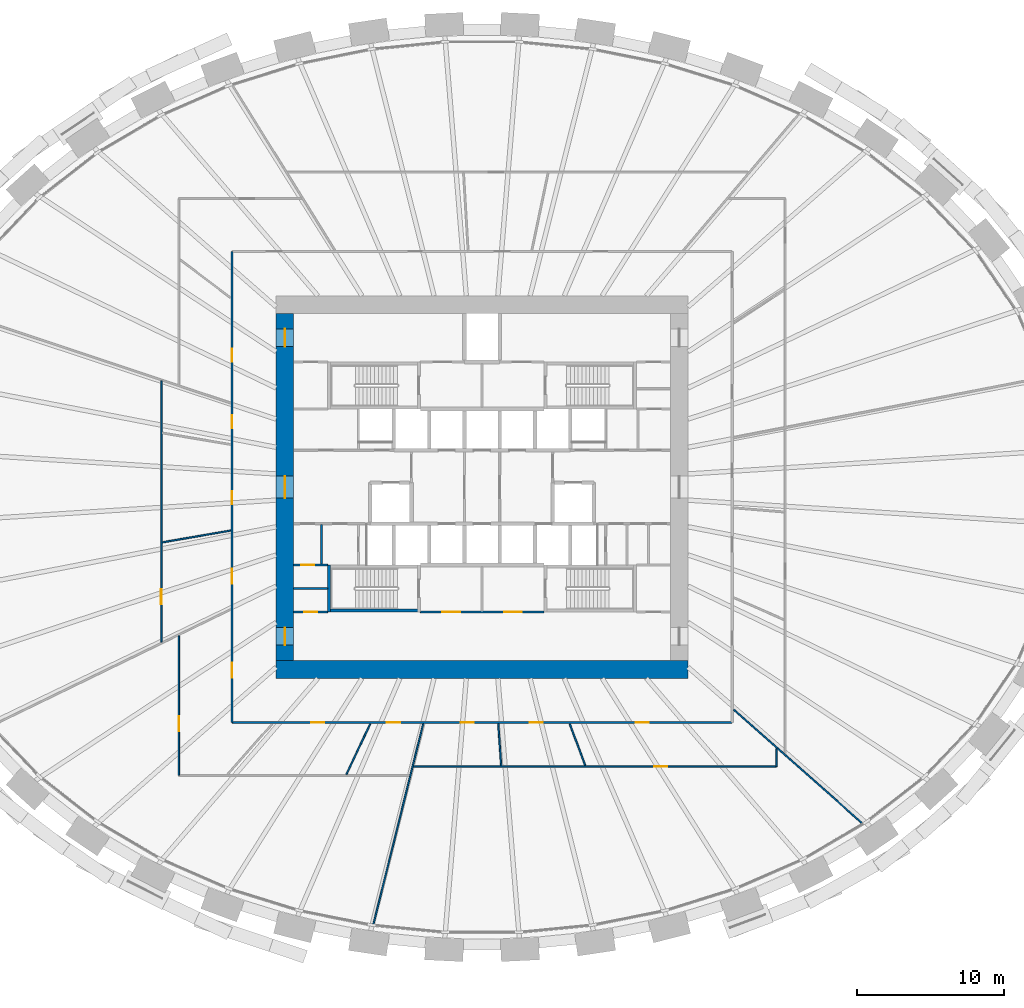
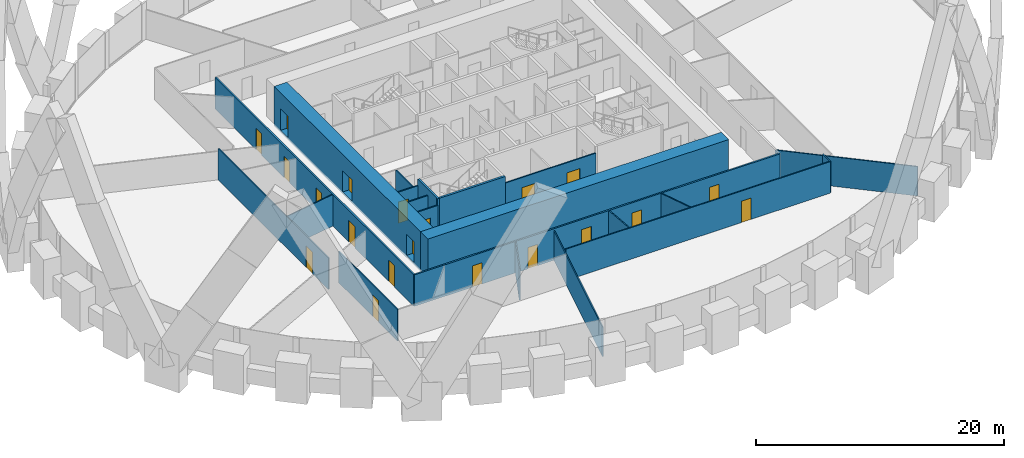
# One storey, part 7 of 12: 21 walls, 20 doors, 20 openings.
"""IFC4 building model written with IfcOpenShell, lengths in metres."""

from ifc_helpers import new_model, si_unit, direction, frame, frame_2d, origin, place, context, subcontext, project, spatial, rectangle, extrude, source, transform, mapped, material, layer, layer_set, type_object, element, fill, save


model = new_model("IFC4")

# Units and contexts
model_context = context("Model", 3, precision=1e-05, world=origin(), true_north=direction((0.0, 1.0)))
body_context = subcontext(model_context, "Body", "Model", "MODEL_VIEW")
ifc_project = project(units=[si_unit("LENGTHUNIT", "METRE"), si_unit("AREAUNIT", "SQUARE_METRE"), si_unit("VOLUMEUNIT", "CUBIC_METRE"), si_unit("PLANEANGLEUNIT", "RADIAN"), si_unit("MASSUNIT", "GRAM", prefix="KILO")], contexts=[model_context])

# Site, building, storey
site_placement = place(None, origin())
site = spatial("IfcSite", under=ifc_project, at=site_placement, CompositionType="ELEMENT")
building_placement = place(site_placement, origin())
building = spatial("IfcBuilding", under=site, at=building_placement, Name="Embergate Tower", CompositionType="ELEMENT")
storey_placement = place(building_placement, frame((0.0, 0.0, 65.89990234375)))
storey = spatial("IfcBuildingStorey", under=building, at=storey_placement, Name="L12", CompositionType="ELEMENT", Elevation=65.89990234375)

# Wall
ifc_material_1 = material(Name="Concrete C80", Category="concrete")
ifc_layer_1 = layer(ifc_material_1, 1.199951171875)
ifc_layer_set_1 = layer_set([ifc_layer_1], Name="Concrete C80")
wall_type_1 = type_object("IfcWallType", Name="Core outer wall C80 1200", PredefinedType="SHEAR", material=ifc_layer_set_1)
shared_shape_1 = source(origin(), body_context, "Body", "SweptSolid", [
    extrude(rectangle(XDim=28.0, YDim=1.199951171875, at=frame_2d((14.0, 0.0))), origin(), (0.0, 0.0, 1.0), 3.900146484375),
])
wall_1_placement = place(storey_placement, frame((-14.0, -12.39990234375, -0.199951171875), z_axis=(0.0, 0.0, 1.0), x_axis=(1.0, 0.0, 0.0)))
element("IfcWall", 1, at=wall_1_placement, inside=storey, type_object=wall_type_1, Name="CW-L12-S", PredefinedType="SHEAR", context=body_context, shape_type="MappedRepresentation", body=[
    mapped(shared_shape_1, transform((0.0, 0.0, 0.0))),
])

# Wall, openings, doors
shared_shape_2 = source(origin(), body_context, "Body", "SweptSolid", [
    extrude(rectangle(XDim=23.60009765625, YDim=1.199951171875, at=frame_2d((11.800048828125, 0.0))), origin(), (0.0, 0.0, 1.0), 3.900146484375),
])
wall_2_placement = place(storey_placement, frame((-13.39990234375, -11.800048828125, -0.199951171875), z_axis=(0.0, 0.0, 1.0), x_axis=(0.0, 1.0, 0.0)))
wall_2 = element("IfcWall", 2, at=wall_2_placement, inside=storey, type_object=wall_type_1, Name="CW-L12-W", PredefinedType="SHEAR", context=body_context, shape_type="MappedRepresentation", body=[
    mapped(shared_shape_2, transform((0.0, 0.0, 0.0))),
])
shared_shape_3 = source(origin(), body_context, "Body", "SweptSolid", [
    extrude(rectangle(XDim=1.199951171875, YDim=2.10009765625, at=frame_2d((0.60009765625, 1.050048828125))), frame((0.0, 0.60986328125, 0.0), z_axis=(0.0, -1.0, 0.0), x_axis=(1.0, 0.0, 0.0)), (0.0, 0.0, 1.0), 1.219970703125),
])
opening_1_placement = place(wall_2_placement, frame((21.35009765625, 0.0, 0.199951171875)))
opening_1 = element("IfcOpeningElement", 3, at=opening_1_placement, cuts=wall_2, Name="Opening IF-1", PredefinedType="OPENING", context=body_context, shape_type="MappedRepresentation", body=[
    mapped(shared_shape_3, transform((0.0, 0.0, 0.0))),
])
opening_2_placement = place(wall_2_placement, frame((1.050048828125, 0.0, 0.199951171875)))
opening_2 = element("IfcOpeningElement", 4, at=opening_2_placement, cuts=wall_2, Name="Opening IF-1", PredefinedType="OPENING", context=body_context, shape_type="MappedRepresentation", body=[
    mapped(shared_shape_3, transform((0.0, 0.0, 0.0))),
])
shared_shape_4 = source(origin(), body_context, "Body", "SweptSolid", [
    extrude(rectangle(XDim=1.5, YDim=2.10009765625, at=frame_2d((0.75, 1.050048828125))), frame((0.0, 0.60986328125, 0.0), z_axis=(0.0, -1.0, 0.0), x_axis=(1.0, 0.0, 0.0)), (0.0, 0.0, 1.0), 1.219970703125),
])
opening_3_placement = place(wall_2_placement, frame((11.050048828125, 0.0, 0.199951171875)))
opening_3 = element("IfcOpeningElement", 5, at=opening_3_placement, cuts=wall_2, Name="Opening IF-3", PredefinedType="OPENING", context=body_context, shape_type="MappedRepresentation", body=[
    mapped(shared_shape_4, transform((0.0, 0.0, 0.0))),
])
ifc_material_2 = material(Name="Escape fire door 1200")
door_type_1 = type_object("IfcDoorType", Name="Escape fire door 1200", OperationType="SINGLE_SWING_LEFT", PredefinedType="DOOR", material=ifc_material_2)
shared_shape_5 = source(origin(), body_context, "Body", "SweptSolid", [
    extrude(rectangle(XDim=1.199951171875, YDim=2.10009765625, at=frame_2d((0.60009765625, 1.050048828125))), frame((0.0, 0.02490234375, 0.0), z_axis=(0.0, -1.0, 0.0), x_axis=(1.0, 0.0, 0.0)), (0.0, 0.0, 1.0), 0.050048828125),
])
door_1_placement = place(opening_1_placement, origin())
door_1 = element("IfcDoor", 6, at=door_1_placement, inside=storey, type_object=door_type_1, Name="IF-1 door", OperationType="SINGLE_SWING_RIGHT", OverallHeight=2.10009765625, OverallWidth=1.199951171875, PredefinedType="DOOR", context=body_context, shape_type="MappedRepresentation", body=[
    mapped(shared_shape_5, transform((0.0, 0.0, 0.0))),
])
fill(opening_1, door_1)
door_2_placement = place(opening_2_placement, origin())
door_2 = element("IfcDoor", 7, at=door_2_placement, inside=storey, type_object=door_type_1, Name="IF-1 door", OperationType="SINGLE_SWING_LEFT", OverallHeight=2.10009765625, OverallWidth=1.199951171875, PredefinedType="DOOR", context=body_context, shape_type="MappedRepresentation", body=[
    mapped(shared_shape_5, transform((0.0, 0.0, 0.0))),
])
fill(opening_2, door_2)
ifc_material_3 = material(Name="Lobby fire door pair 1500")
door_type_2 = type_object("IfcDoorType", Name="Lobby fire door pair 1500", OperationType="DOUBLE_DOOR_SINGLE_SWING", PredefinedType="DOOR", material=ifc_material_3)
shared_shape_6 = source(origin(), body_context, "Body", "SweptSolid", [
    extrude(rectangle(XDim=1.5, YDim=2.10009765625, at=frame_2d((0.75, 1.050048828125))), frame((0.0, 0.02490234375, 0.0), z_axis=(0.0, -1.0, 0.0), x_axis=(1.0, 0.0, 0.0)), (0.0, 0.0, 1.0), 0.050048828125),
])
door_3_placement = place(opening_3_placement, origin())
door_3 = element("IfcDoor", 8, at=door_3_placement, inside=storey, type_object=door_type_2, Name="IF-3 door", OperationType="DOUBLE_DOOR_SINGLE_SWING", OverallHeight=2.10009765625, OverallWidth=1.5, PredefinedType="DOOR", context=body_context, shape_type="MappedRepresentation", body=[
    mapped(shared_shape_6, transform((0.0, 0.0, 0.0))),
])
fill(opening_3, door_3)

ifc_material_4 = material(Name="Core partition blockwork 120")
ifc_layer_2 = layer(ifc_material_4, 0.1201171875)
ifc_layer_set_2 = layer_set([ifc_layer_2], Name="Core partition blockwork 120")
wall_type_2 = type_object("IfcWallType", Name="Core partition blockwork 120", PredefinedType="PARTITIONING", material=ifc_layer_set_2)
shared_shape_7 = source(origin(), body_context, "Body", "SweptSolid", [
    extrude(rectangle(XDim=8.39990234375, YDim=0.1201171875, at=frame_2d((4.199951171875, 0.0))), origin(), (0.0, 0.0, 1.0), 3.10009765625),
])
wall_3_placement = place(storey_placement, frame((-4.199951171875, -8.5, 0.0), z_axis=(0.0, 0.0, 1.0), x_axis=(1.0, 0.0, 0.0)))
wall_3 = element("IfcWall", 9, at=wall_3_placement, inside=storey, type_object=wall_type_2, Name="IP-3 wall", PredefinedType="PARTITIONING", context=body_context, shape_type="MappedRepresentation", body=[
    mapped(shared_shape_7, transform((0.0, 0.0, 0.0))),
])
shared_shape_8 = source(origin(), body_context, "Body", "SweptSolid", [
    extrude(rectangle(XDim=1.199951171875, YDim=2.10009765625, at=frame_2d((0.60009765625, 1.050048828125))), frame((0.0, 0.070068359375, 0.0), z_axis=(0.0, -1.0, 0.0), x_axis=(1.0, 0.0, 0.0)), (0.0, 0.0, 1.0), 0.14013671875),
])
opening_4_placement = place(wall_3_placement, frame((1.5, 0.0, 0.0)))
opening_4 = element("IfcOpeningElement", 10, at=opening_4_placement, cuts=wall_3, Name="Opening IF-3f", PredefinedType="OPENING", context=body_context, shape_type="MappedRepresentation", body=[
    mapped(shared_shape_8, transform((0.0, 0.0, 0.0))),
])
opening_5_placement = place(wall_3_placement, frame((5.699951171875, 0.0, 0.0)))
opening_5 = element("IfcOpeningElement", 11, at=opening_5_placement, cuts=wall_3, Name="Opening IF-3f", PredefinedType="OPENING", context=body_context, shape_type="MappedRepresentation", body=[
    mapped(shared_shape_8, transform((0.0, 0.0, 0.0))),
])
ifc_material_5 = material(Name="Lobby fire door pair 1200")
door_type_3 = type_object("IfcDoorType", Name="Lobby fire door pair 1200", OperationType="DOUBLE_DOOR_SINGLE_SWING", PredefinedType="DOOR", material=ifc_material_5)
door_4_placement = place(opening_4_placement, origin())
door_4 = element("IfcDoor", 12, at=door_4_placement, inside=storey, type_object=door_type_3, Name="IF-3 door", OperationType="DOUBLE_DOOR_SINGLE_SWING", OverallHeight=2.10009765625, OverallWidth=1.199951171875, PredefinedType="DOOR", context=body_context, shape_type="MappedRepresentation", body=[
    mapped(shared_shape_5, transform((0.0, 0.0, 0.0))),
])
fill(opening_4, door_4)
door_5_placement = place(opening_5_placement, origin())
door_5 = element("IfcDoor", 13, at=door_5_placement, inside=storey, type_object=door_type_3, Name="IF-3 door", OperationType="DOUBLE_DOOR_SINGLE_SWING", OverallHeight=2.10009765625, OverallWidth=1.199951171875, PredefinedType="DOOR", context=body_context, shape_type="MappedRepresentation", body=[
    mapped(shared_shape_5, transform((0.0, 0.0, 0.0))),
])
fill(opening_5, door_5)

# Wall, opening, door
shared_shape_9 = source(origin(), body_context, "Body", "SweptSolid", [
    extrude(rectangle(XDim=2.300048828125, YDim=0.1201171875, at=frame_2d((1.14990234375, 0.0))), origin(), (0.0, 0.0, 1.0), 3.10009765625),
])
wall_4_placement = place(storey_placement, frame((-10.5, -8.5, 0.0), z_axis=(0.0, 0.0, 1.0), x_axis=(-1.0, 0.0, 0.0)))
wall_4 = element("IfcWall", 14, at=wall_4_placement, inside=storey, type_object=wall_type_2, Name="IP-3 wall", PredefinedType="PARTITIONING", context=body_context, shape_type="MappedRepresentation", body=[
    mapped(shared_shape_9, transform((0.0, 0.0, 0.0))),
])
shared_shape_10 = source(origin(), body_context, "Body", "SweptSolid", [
    extrude(rectangle(XDim=0.89990234375, YDim=2.10009765625, at=frame_2d((0.449951171875, 1.050048828125))), frame((0.0, 0.070068359375, 0.0), z_axis=(0.0, -1.0, 0.0), x_axis=(1.0, 0.0, 0.0)), (0.0, 0.0, 1.0), 0.14013671875),
])
opening_6_placement = place(wall_4_placement, frame((0.699951171875, 0.0, 0.0)))
opening_6 = element("IfcOpeningElement", 15, at=opening_6_placement, cuts=wall_4, Name="Opening ID-1", PredefinedType="OPENING", context=body_context, shape_type="MappedRepresentation", body=[
    mapped(shared_shape_10, transform((0.0, 0.0, 0.0))),
])
ifc_material_6 = material(Name="Interior door 900")
door_type_4 = type_object("IfcDoorType", Name="Interior door 900", OperationType="SINGLE_SWING_LEFT", PredefinedType="DOOR", material=ifc_material_6)
shared_shape_11 = source(origin(), body_context, "Body", "SweptSolid", [
    extrude(rectangle(XDim=0.89990234375, YDim=2.10009765625, at=frame_2d((0.449951171875, 1.050048828125))), frame((0.0, 0.02490234375, 0.0), z_axis=(0.0, -1.0, 0.0), x_axis=(1.0, 0.0, 0.0)), (0.0, 0.0, 1.0), 0.050048828125),
])
door_6_placement = place(opening_6_placement, origin())
door_6 = element("IfcDoor", 16, at=door_6_placement, inside=storey, type_object=door_type_4, Name="ID-1 door", OperationType="SINGLE_SWING_RIGHT", OverallHeight=2.10009765625, OverallWidth=0.89990234375, PredefinedType="DOOR", context=body_context, shape_type="MappedRepresentation", body=[
    mapped(shared_shape_11, transform((0.0, 0.0, 0.0))),
])
fill(opening_6, door_6)

wall_5_placement = place(storey_placement, frame((-12.800048828125, -5.300048828125, 0.0), z_axis=(0.0, 0.0, 1.0), x_axis=(1.0, 0.0, 0.0)))
wall_5 = element("IfcWall", 17, at=wall_5_placement, inside=storey, type_object=wall_type_2, Name="IP-3 wall", PredefinedType="PARTITIONING", context=body_context, shape_type="MappedRepresentation", body=[
    mapped(shared_shape_9, transform((0.0, 0.0, 0.0))),
])
opening_7_placement = place(wall_5_placement, frame((0.49609375, 0.0, 0.0)))
opening_7 = element("IfcOpeningElement", 18, at=opening_7_placement, cuts=wall_5, Name="Opening ID-1", PredefinedType="OPENING", context=body_context, shape_type="MappedRepresentation", body=[
    mapped(shared_shape_10, transform((0.0, 0.0, 0.0))),
])
door_7_placement = place(opening_7_placement, origin())
door_7 = element("IfcDoor", 19, at=door_7_placement, inside=storey, type_object=door_type_4, Name="ID-1 door", OperationType="SINGLE_SWING_RIGHT", OverallHeight=2.10009765625, OverallWidth=0.89990234375, PredefinedType="DOOR", context=body_context, shape_type="MappedRepresentation", body=[
    mapped(shared_shape_11, transform((0.0, 0.0, 0.0))),
])
fill(opening_7, door_7)

# Walls
wall_6_placement = place(storey_placement, frame((-10.5, -6.89990234375, 0.0), z_axis=(0.0, 0.0, 1.0), x_axis=(-1.0, 0.0, 0.0)))
element("IfcWall", 20, at=wall_6_placement, inside=storey, type_object=wall_type_2, Name="IP-3 wall", PredefinedType="PARTITIONING", context=body_context, shape_type="MappedRepresentation", body=[
    mapped(shared_shape_9, transform((0.0, 0.0, 0.0))),
])
shared_shape_12 = source(origin(), body_context, "Body", "SweptSolid", [
    extrude(rectangle(XDim=2.679931640625, YDim=0.1201171875, at=frame_2d((1.33984375, 0.0))), origin(), (0.0, 0.0, 1.0), 3.10009765625),
])
wall_7_placement = place(storey_placement, frame((-10.907958984375, -5.239990234375, 0.0), z_axis=(0.0, 0.0, 1.0), x_axis=(0.0, 1.0, 0.0)))
element("IfcWall", 21, at=wall_7_placement, inside=storey, type_object=wall_type_2, Name="IP-3 wall", PredefinedType="PARTITIONING", context=body_context, shape_type="MappedRepresentation", body=[
    mapped(shared_shape_12, transform((0.0, 0.0, 0.0))),
])
ifc_material_7 = material(Name="Concrete C50", Category="concrete")
ifc_layer_3 = layer(ifc_material_7, 0.199951171875)
ifc_layer_set_3 = layer_set([ifc_layer_3], Name="Concrete C50")
wall_type_3 = type_object("IfcWallType", Name="Stair enclosure wall reinforced concrete 250", PredefinedType="SHEAR", material=ifc_layer_set_3)
shared_shape_13 = source(origin(), body_context, "Body", "SweptSolid", [
    extrude(rectangle(XDim=6.300048828125, YDim=0.199951171875, at=frame_2d((3.14990234375, 0.0))), origin(), (0.0, 0.0, 1.0), 3.7001953125),
])
wall_8_placement = place(storey_placement, frame((-10.5, -8.39990234375, 0.0), z_axis=(0.0, 0.0, 1.0), x_axis=(1.0, 0.0, 0.0)))
element("IfcWall", 22, at=wall_8_placement, inside=storey, type_object=wall_type_3, Name="SE-1 wall", PredefinedType="SHEAR", context=body_context, shape_type="MappedRepresentation", body=[
    mapped(shared_shape_13, transform((0.0, 0.0, 0.0))),
])
shared_shape_14 = source(origin(), body_context, "Body", "SweptSolid", [
    extrude(rectangle(XDim=3.199951171875, YDim=0.199951171875, at=frame_2d((1.60009765625, 0.0))), origin(), (0.0, 0.0, 1.0), 3.7001953125),
])
wall_9_placement = place(storey_placement, frame((-10.39990234375, -5.300048828125, 0.0), z_axis=(0.0, 0.0, 1.0), x_axis=(0.0, -1.0, 0.0)))
element("IfcWall", 23, at=wall_9_placement, inside=storey, type_object=wall_type_3, Name="SE-1 wall", PredefinedType="SHEAR", context=body_context, shape_type="MappedRepresentation", body=[
    mapped(shared_shape_14, transform((0.0, 0.0, 0.0))),
])

# Wall, openings, doors
ifc_material_8 = material(Name="Corridor wall dry-lined 150")
ifc_layer_4 = layer(ifc_material_8, 0.14990234375)
ifc_layer_set_4 = layer_set([ifc_layer_4], Name="Corridor wall dry-lined 150")
wall_type_4 = type_object("IfcWallType", Name="Corridor wall dry-lined 150", PredefinedType="PARTITIONING", material=ifc_layer_set_4)
shared_shape_15 = source(origin(), body_context, "Body", "SweptSolid", [
    extrude(rectangle(XDim=34.0, YDim=0.14990234375, at=frame_2d((17.0, 0.0))), origin(), (0.0, 0.0, 1.0), 3.10009765625),
])
wall_10_placement = place(storey_placement, frame((17.0, -16.0, 0.0), z_axis=(0.0, 0.0, 1.0), x_axis=(-1.0, 0.0, 0.0)))
wall_10 = element("IfcWall", 24, at=wall_10_placement, inside=storey, type_object=wall_type_4, Name="IP-2 wall", PredefinedType="PARTITIONING", context=body_context, shape_type="MappedRepresentation", body=[
    mapped(shared_shape_15, transform((0.0, 0.0, 0.0))),
])
shared_shape_16 = source(origin(), body_context, "Body", "SweptSolid", [
    extrude(rectangle(XDim=0.89990234375, YDim=2.10009765625, at=frame_2d((0.449951171875, 1.050048828125))), frame((0.0, 0.0849609375, 0.0), z_axis=(0.0, -1.0, 0.0), x_axis=(1.0, 0.0, 0.0)), (0.0, 0.0, 1.0), 0.169921875),
])
opening_8_placement = place(wall_10_placement, frame((27.721923828125, 0.0, 0.0)))
opening_8 = element("IfcOpeningElement", 25, at=opening_8_placement, cuts=wall_10, Name="Opening IF-1c", PredefinedType="OPENING", context=body_context, shape_type="MappedRepresentation", body=[
    mapped(shared_shape_16, transform((0.0, 0.0, 0.0))),
])
opening_9_placement = place(wall_10_placement, frame((22.56494140625, 0.0, 0.0)))
opening_9 = element("IfcOpeningElement", 26, at=opening_9_placement, cuts=wall_10, Name="Opening IF-1c", PredefinedType="OPENING", context=body_context, shape_type="MappedRepresentation", body=[
    mapped(shared_shape_16, transform((0.0, 0.0, 0.0))),
])
opening_10_placement = place(wall_10_placement, frame((17.56103515625, 0.0, 0.0)))
opening_10 = element("IfcOpeningElement", 27, at=opening_10_placement, cuts=wall_10, Name="Opening IF-1c", PredefinedType="OPENING", context=body_context, shape_type="MappedRepresentation", body=[
    mapped(shared_shape_16, transform((0.0, 0.0, 0.0))),
])
opening_11_placement = place(wall_10_placement, frame((12.873046875, 0.0, 0.0)))
opening_11 = element("IfcOpeningElement", 28, at=opening_11_placement, cuts=wall_10, Name="Opening IF-1c", PredefinedType="OPENING", context=body_context, shape_type="MappedRepresentation", body=[
    mapped(shared_shape_16, transform((0.0, 0.0, 0.0))),
])
opening_12_placement = place(wall_10_placement, frame((5.662109375, 0.0, 0.0)))
opening_12 = element("IfcOpeningElement", 29, at=opening_12_placement, cuts=wall_10, Name="Opening IF-1c", PredefinedType="OPENING", context=body_context, shape_type="MappedRepresentation", body=[
    mapped(shared_shape_16, transform((0.0, 0.0, 0.0))),
])
ifc_material_9 = material(Name="Escape fire door 900")
door_type_5 = type_object("IfcDoorType", Name="Escape fire door 900", OperationType="SINGLE_SWING_LEFT", PredefinedType="DOOR", material=ifc_material_9)
door_8_placement = place(opening_8_placement, origin())
door_8 = element("IfcDoor", 30, at=door_8_placement, inside=storey, type_object=door_type_5, Name="IF-1 door", OperationType="SINGLE_SWING_RIGHT", OverallHeight=2.10009765625, OverallWidth=0.89990234375, PredefinedType="DOOR", context=body_context, shape_type="MappedRepresentation", body=[
    mapped(shared_shape_11, transform((0.0, 0.0, 0.0))),
])
fill(opening_8, door_8)
door_9_placement = place(opening_9_placement, origin())
door_9 = element("IfcDoor", 31, at=door_9_placement, inside=storey, type_object=door_type_5, Name="IF-1 door", OperationType="SINGLE_SWING_LEFT", OverallHeight=2.10009765625, OverallWidth=0.89990234375, PredefinedType="DOOR", context=body_context, shape_type="MappedRepresentation", body=[
    mapped(shared_shape_11, transform((0.0, 0.0, 0.0))),
])
fill(opening_9, door_9)
door_10_placement = place(opening_10_placement, origin())
door_10 = element("IfcDoor", 32, at=door_10_placement, inside=storey, type_object=door_type_5, Name="IF-1 door", OperationType="SINGLE_SWING_RIGHT", OverallHeight=2.10009765625, OverallWidth=0.89990234375, PredefinedType="DOOR", context=body_context, shape_type="MappedRepresentation", body=[
    mapped(shared_shape_11, transform((0.0, 0.0, 0.0))),
])
fill(opening_10, door_10)
door_11_placement = place(opening_11_placement, origin())
door_11 = element("IfcDoor", 33, at=door_11_placement, inside=storey, type_object=door_type_5, Name="IF-1 door", OperationType="SINGLE_SWING_RIGHT", OverallHeight=2.10009765625, OverallWidth=0.89990234375, PredefinedType="DOOR", context=body_context, shape_type="MappedRepresentation", body=[
    mapped(shared_shape_11, transform((0.0, 0.0, 0.0))),
])
fill(opening_11, door_11)
door_12_placement = place(opening_12_placement, origin())
door_12 = element("IfcDoor", 34, at=door_12_placement, inside=storey, type_object=door_type_5, Name="IF-1 door", OperationType="SINGLE_SWING_RIGHT", OverallHeight=2.10009765625, OverallWidth=0.89990234375, PredefinedType="DOOR", context=body_context, shape_type="MappedRepresentation", body=[
    mapped(shared_shape_11, transform((0.0, 0.0, 0.0))),
])
fill(opening_12, door_12)

shared_shape_17 = source(origin(), body_context, "Body", "SweptSolid", [
    extrude(rectangle(XDim=32.0, YDim=0.14990234375, at=frame_2d((16.0, 0.0))), origin(), (0.0, 0.0, 1.0), 3.10009765625),
])
wall_11_placement = place(storey_placement, frame((-17.0, -16.0, 0.0), z_axis=(0.0, 0.0, 1.0), x_axis=(0.0, 1.0, 0.0)))
wall_11 = element("IfcWall", 35, at=wall_11_placement, inside=storey, type_object=wall_type_4, Name="IP-2 wall", PredefinedType="PARTITIONING", context=body_context, shape_type="MappedRepresentation", body=[
    mapped(shared_shape_17, transform((0.0, 0.0, 0.0))),
])
shared_shape_18 = source(origin(), body_context, "Body", "SweptSolid", [
    extrude(rectangle(XDim=1.0, YDim=2.10009765625, at=frame_2d((0.5, 1.050048828125))), frame((0.0, 0.0849609375, 0.0), z_axis=(0.0, -1.0, 0.0), x_axis=(1.0, 0.0, 0.0)), (0.0, 0.0, 1.0), 0.169921875),
])
opening_13_placement = place(wall_11_placement, frame((3.054931640625, 0.0, 0.0)))
opening_13 = element("IfcOpeningElement", 36, at=opening_13_placement, cuts=wall_11, Name="Opening ID-2", PredefinedType="OPENING", context=body_context, shape_type="MappedRepresentation", body=[
    mapped(shared_shape_18, transform((0.0, 0.0, 0.0))),
])
opening_14_placement = place(wall_11_placement, frame((24.5048828125, 0.0, 0.0)))
opening_14 = element("IfcOpeningElement", 37, at=opening_14_placement, cuts=wall_11, Name="Opening IF-1c", PredefinedType="OPENING", context=body_context, shape_type="MappedRepresentation", body=[
    mapped(shared_shape_16, transform((0.0, 0.0, 0.0))),
])
opening_15_placement = place(wall_11_placement, frame((19.98291015625, 0.0, 0.0)))
opening_15 = element("IfcOpeningElement", 38, at=opening_15_placement, cuts=wall_11, Name="Opening IF-1c", PredefinedType="OPENING", context=body_context, shape_type="MappedRepresentation", body=[
    mapped(shared_shape_16, transform((0.0, 0.0, 0.0))),
])
opening_16_placement = place(wall_11_placement, frame((14.826904296875, 0.0, 0.0)))
opening_16 = element("IfcOpeningElement", 39, at=opening_16_placement, cuts=wall_11, Name="Opening IF-1c", PredefinedType="OPENING", context=body_context, shape_type="MappedRepresentation", body=[
    mapped(shared_shape_16, transform((0.0, 0.0, 0.0))),
])
opening_17_placement = place(wall_11_placement, frame((9.443115234375, 0.0, 0.0)))
opening_17 = element("IfcOpeningElement", 40, at=opening_17_placement, cuts=wall_11, Name="Opening ID-2", PredefinedType="OPENING", context=body_context, shape_type="MappedRepresentation", body=[
    mapped(shared_shape_18, transform((0.0, 0.0, 0.0))),
])
door_13_placement = place(opening_14_placement, origin())
door_13 = element("IfcDoor", 41, at=door_13_placement, inside=storey, type_object=door_type_5, Name="IF-1 door", OperationType="SINGLE_SWING_LEFT", OverallHeight=2.10009765625, OverallWidth=0.89990234375, PredefinedType="DOOR", context=body_context, shape_type="MappedRepresentation", body=[
    mapped(shared_shape_11, transform((0.0, 0.0, 0.0))),
])
fill(opening_14, door_13)
door_14_placement = place(opening_15_placement, origin())
door_14 = element("IfcDoor", 42, at=door_14_placement, inside=storey, type_object=door_type_5, Name="IF-1 door", OperationType="SINGLE_SWING_RIGHT", OverallHeight=2.10009765625, OverallWidth=0.89990234375, PredefinedType="DOOR", context=body_context, shape_type="MappedRepresentation", body=[
    mapped(shared_shape_11, transform((0.0, 0.0, 0.0))),
])
fill(opening_15, door_14)
door_15_placement = place(opening_16_placement, origin())
door_15 = element("IfcDoor", 43, at=door_15_placement, inside=storey, type_object=door_type_5, Name="IF-1 door", OperationType="SINGLE_SWING_RIGHT", OverallHeight=2.10009765625, OverallWidth=0.89990234375, PredefinedType="DOOR", context=body_context, shape_type="MappedRepresentation", body=[
    mapped(shared_shape_11, transform((0.0, 0.0, 0.0))),
])
fill(opening_16, door_15)
ifc_material_10 = material(Name="Interior door 1000")
door_type_6 = type_object("IfcDoorType", Name="Interior door 1000", OperationType="SINGLE_SWING_LEFT", PredefinedType="DOOR", material=ifc_material_10)
shared_shape_19 = source(origin(), body_context, "Body", "SweptSolid", [
    extrude(rectangle(XDim=1.0, YDim=2.10009765625, at=frame_2d((0.5, 1.050048828125))), frame((0.0, 0.02490234375, 0.0), z_axis=(0.0, -1.0, 0.0), x_axis=(1.0, 0.0, 0.0)), (0.0, 0.0, 1.0), 0.050048828125),
])
door_16_placement = place(opening_13_placement, origin())
door_16 = element("IfcDoor", 44, at=door_16_placement, inside=storey, type_object=door_type_6, Name="ID-2 door", OperationType="SINGLE_SWING_RIGHT", OverallHeight=2.10009765625, OverallWidth=1.0, PredefinedType="DOOR", context=body_context, shape_type="MappedRepresentation", body=[
    mapped(shared_shape_19, transform((0.0, 0.0, 0.0))),
])
fill(opening_13, door_16)
door_17_placement = place(opening_17_placement, origin())
door_17 = element("IfcDoor", 45, at=door_17_placement, inside=storey, type_object=door_type_6, Name="ID-2 door", OperationType="SINGLE_SWING_LEFT", OverallHeight=2.10009765625, OverallWidth=1.0, PredefinedType="DOOR", context=body_context, shape_type="MappedRepresentation", body=[
    mapped(shared_shape_19, transform((0.0, 0.0, 0.0))),
])
fill(opening_17, door_17)

# Wall, opening, door
ifc_material_11 = material(Name="Partition dry-lined 100")
ifc_layer_5 = layer(ifc_material_11, 0.10009765625)
ifc_layer_set_5 = layer_set([ifc_layer_5], Name="Partition dry-lined 100")
wall_type_5 = type_object("IfcWallType", Name="Partition dry-lined 100", PredefinedType="PARTITIONING", material=ifc_layer_set_5)
shared_shape_20 = source(origin(), body_context, "Body", "SweptSolid", [
    extrude(rectangle(XDim=9.4912109375, YDim=0.10009765625, at=frame_2d((4.74560546875, 0.0))), origin(), (0.0, 0.0, 1.0), 3.10009765625),
])
wall_12_placement = place(storey_placement, frame((-20.60009765625, -19.60009765625, 0.0), z_axis=(0.0, 0.0, 1.0), x_axis=(0.0, 1.0, 0.0)))
wall_12 = element("IfcWall", 46, at=wall_12_placement, inside=storey, type_object=wall_type_5, Name="IP-1 wall", PredefinedType="PARTITIONING", context=body_context, shape_type="MappedRepresentation", body=[
    mapped(shared_shape_20, transform((0.0, 0.0, 0.0))),
])
shared_shape_21 = source(origin(), body_context, "Body", "SweptSolid", [
    extrude(rectangle(XDim=1.0, YDim=2.10009765625, at=frame_2d((0.5, 1.050048828125))), frame((0.0, 0.06005859375, 0.0), z_axis=(0.0, -1.0, 0.0), x_axis=(1.0, 0.0, 0.0)), (0.0, 0.0, 1.0), 0.1201171875),
])
opening_18_placement = place(wall_12_placement, frame((3.010009765625, 0.0, 0.0)))
opening_18 = element("IfcOpeningElement", 47, at=opening_18_placement, cuts=wall_12, Name="Opening ID-2", PredefinedType="OPENING", context=body_context, shape_type="MappedRepresentation", body=[
    mapped(shared_shape_21, transform((0.0, 0.0, 0.0))),
])
door_18_placement = place(opening_18_placement, origin())
door_18 = element("IfcDoor", 48, at=door_18_placement, inside=storey, type_object=door_type_6, Name="ID-2 door", OperationType="SINGLE_SWING_LEFT", OverallHeight=2.10009765625, OverallWidth=1.0, PredefinedType="DOOR", context=body_context, shape_type="MappedRepresentation", body=[
    mapped(shared_shape_19, transform((0.0, 0.0, 0.0))),
])
fill(opening_18, door_18)

# Walls
shared_shape_22 = source(origin(), body_context, "Body", "SweptSolid", [
    extrude(rectangle(XDim=3.79638671875, YDim=0.10009765625, at=frame_2d((1.898193359375, 0.0))), origin(), (0.0, 0.0, 1.0), 3.10009765625),
])
wall_13_placement = place(storey_placement, frame((-7.60107421875, -16.095947265625, 0.0), z_axis=(0.0, 0.0, 1.0), x_axis=(-0.426933274137, -0.904283130128, 0.0)))
element("IfcWall", 49, at=wall_13_placement, inside=storey, type_object=wall_type_5, Name="IP-1 wall", PredefinedType="PARTITIONING", context=body_context, shape_type="MappedRepresentation", body=[
    mapped(shared_shape_22, transform((0.0, 0.0, 0.0))),
])
ifc_material_12 = material(Name="Partition dry-lined 100 wet")
ifc_layer_6 = layer(ifc_material_12, 0.10009765625)
ifc_layer_set_6 = layer_set([ifc_layer_6], Name="Partition dry-lined 100 wet")
wall_type_6 = type_object("IfcWallType", Name="Partition dry-lined 100 wet", PredefinedType="PLUMBINGWALL", material=ifc_layer_set_6)
shared_shape_23 = source(origin(), body_context, "Body", "SweptSolid", [
    extrude(rectangle(XDim=2.8818359375, YDim=0.10009765625, at=frame_2d((1.44091796875, 0.0))), origin(), (0.0, 0.0, 1.0), 3.10009765625),
])
wall_14_placement = place(storey_placement, frame((1.10107421875, -16.074951171875, 0.0), z_axis=(0.0, 0.0, 1.0), x_axis=(0.068368861267, -0.997660111866, 0.0)))
element("IfcWall", 50, at=wall_14_placement, inside=storey, type_object=wall_type_6, Name="IP-1 wall", PredefinedType="PLUMBINGWALL", context=body_context, shape_type="MappedRepresentation", body=[
    mapped(shared_shape_23, transform((0.0, 0.0, 0.0))),
])

# Wall, opening, door
shared_shape_24 = source(origin(), body_context, "Body", "SweptSolid", [
    extrude(rectangle(XDim=24.656982421875, YDim=0.10009765625, at=frame_2d((12.32861328125, 0.0))), origin(), (0.0, 0.0, 1.0), 3.10009765625),
])
wall_15_placement = place(storey_placement, frame((-4.656982421875, -19.0, 0.0), z_axis=(0.0, 0.0, 1.0), x_axis=(1.0, 0.0, 0.0)))
wall_15 = element("IfcWall", 51, at=wall_15_placement, inside=storey, type_object=wall_type_6, Name="IP-1 wall", PredefinedType="PLUMBINGWALL", context=body_context, shape_type="MappedRepresentation", body=[
    mapped(shared_shape_24, transform((0.0, 0.0, 0.0))),
])
shared_shape_25 = source(origin(), body_context, "Body", "SweptSolid", [
    extrude(rectangle(XDim=0.89990234375, YDim=2.10009765625, at=frame_2d((0.449951171875, 1.050048828125))), frame((0.0, 0.06005859375, 0.0), z_axis=(0.0, -1.0, 0.0), x_axis=(1.0, 0.0, 0.0)), (0.0, 0.0, 1.0), 0.1201171875),
])
opening_19_placement = place(wall_15_placement, frame((16.34912109375, 0.0, 0.0)))
opening_19 = element("IfcOpeningElement", 52, at=opening_19_placement, cuts=wall_15, Name="Opening ID-1", PredefinedType="OPENING", context=body_context, shape_type="MappedRepresentation", body=[
    mapped(shared_shape_25, transform((0.0, 0.0, 0.0))),
])
door_19_placement = place(opening_19_placement, origin())
door_19 = element("IfcDoor", 53, at=door_19_placement, inside=storey, type_object=door_type_4, Name="ID-1 door", OperationType="SINGLE_SWING_RIGHT", OverallHeight=2.10009765625, OverallWidth=0.89990234375, PredefinedType="DOOR", context=body_context, shape_type="MappedRepresentation", body=[
    mapped(shared_shape_11, transform((0.0, 0.0, 0.0))),
])
fill(opening_19, door_19)

# Walls
shared_shape_26 = source(origin(), body_context, "Body", "SweptSolid", [
    extrude(rectangle(XDim=3.029541015625, YDim=0.10009765625, at=frame_2d((1.5146484375, 0.0))), origin(), (0.0, 0.0, 1.0), 3.10009765625),
])
wall_16_placement = place(storey_placement, frame((5.958984375, -16.092041015625, 0.0), z_axis=(0.0, 0.0, 1.0), x_axis=(0.347243490024, -0.937775004271, 0.0)))
element("IfcWall", 54, at=wall_16_placement, inside=storey, type_object=wall_type_6, Name="IP-1 wall", PredefinedType="PLUMBINGWALL", context=body_context, shape_type="MappedRepresentation", body=[
    mapped(shared_shape_26, transform((0.0, 0.0, 0.0))),
])
shared_shape_27 = source(origin(), body_context, "Body", "SweptSolid", [
    extrude(rectangle(XDim=1.202880859375, YDim=0.10009765625, at=frame_2d((0.6015625, 0.0))), origin(), (0.0, 0.0, 1.0), 3.10009765625),
])
wall_17_placement = place(storey_placement, frame((20.0, -17.797119140625, 0.0), z_axis=(0.0, 0.0, 1.0), x_axis=(0.0, -1.0, 0.0)))
element("IfcWall", 55, at=wall_17_placement, inside=storey, type_object=wall_type_6, Name="IP-1 wall", PredefinedType="PLUMBINGWALL", context=body_context, shape_type="MappedRepresentation", body=[
    mapped(shared_shape_27, transform((0.0, 0.0, 0.0))),
])

# Wall, opening, door
shared_shape_28 = source(origin(), body_context, "Body", "SweptSolid", [
    extrude(rectangle(XDim=17.743896484375, YDim=0.10009765625, at=frame_2d((8.8720703125, 0.0))), origin(), (0.0, 0.0, 1.0), 3.10009765625),
])
wall_18_placement = place(storey_placement, frame((-21.800048828125, -10.533935546875, 0.0), z_axis=(0.0, 0.0, 1.0), x_axis=(0.0, 1.0, 0.0)))
wall_18 = element("IfcWall", 56, at=wall_18_placement, inside=storey, type_object=wall_type_5, Name="IP-1 wall", PredefinedType="PARTITIONING", context=body_context, shape_type="MappedRepresentation", body=[
    mapped(shared_shape_28, transform((0.0, 0.0, 0.0))),
])
opening_20_placement = place(wall_18_placement, frame((2.57861328125, 0.0, 0.0)))
opening_20 = element("IfcOpeningElement", 57, at=opening_20_placement, cuts=wall_18, Name="Opening ID-2", PredefinedType="OPENING", context=body_context, shape_type="MappedRepresentation", body=[
    mapped(shared_shape_21, transform((0.0, 0.0, 0.0))),
])
door_20_placement = place(opening_20_placement, origin())
door_20 = element("IfcDoor", 58, at=door_20_placement, inside=storey, type_object=door_type_6, Name="ID-2 door", OperationType="SINGLE_SWING_LEFT", OverallHeight=2.10009765625, OverallWidth=1.0, PredefinedType="DOOR", context=body_context, shape_type="MappedRepresentation", body=[
    mapped(shared_shape_19, transform((0.0, 0.0, 0.0))),
])
fill(opening_20, door_20)

# Walls
shared_shape_29 = source(origin(), body_context, "Body", "SweptSolid", [
    extrude(rectangle(XDim=4.726318359375, YDim=0.10009765625, at=frame_2d((2.36328125, 0.0))), origin(), (0.0, 0.0, 1.0), 3.10009765625),
])
wall_19_placement = place(storey_placement, frame((-17.083984375, -2.9560546875, 0.0), z_axis=(0.0, 0.0, 1.0), x_axis=(-0.985354345091, -0.170519249968, 0.0)))
element("IfcWall", 59, at=wall_19_placement, inside=storey, type_object=wall_type_5, Name="IP-1 wall", PredefinedType="PARTITIONING", context=body_context, shape_type="MappedRepresentation", body=[
    mapped(shared_shape_29, transform((0.0, 0.0, 0.0))),
])
shared_shape_30 = source(origin(), body_context, "Body", "SweptSolid", [
    extrude(rectangle(XDim=14.09716796875, YDim=0.10009765625, at=frame_2d((7.048583984375, 0.0))), origin(), (0.0, 0.0, 1.0), 2.900146484375),
])
wall_20_placement = place(storey_placement, frame((-7.39697265625, -29.76806640625, 0.0), z_axis=(0.0, 0.0, 1.0), x_axis=(0.241174373268, 0.970481798736, 0.0)))
element("IfcWall", 60, at=wall_20_placement, inside=storey, type_object=wall_type_5, Name="IP-1 wall", PredefinedType="PARTITIONING", context=body_context, shape_type="MappedRepresentation", body=[
    mapped(shared_shape_30, transform((0.0, 0.0, 0.0))),
])
shared_shape_31 = source(origin(), body_context, "Body", "SweptSolid", [
    extrude(rectangle(XDim=11.715576171875, YDim=0.10009765625, at=frame_2d((5.85791015625, 0.0))), origin(), (0.0, 0.0, 1.0), 2.900146484375),
])
wall_21_placement = place(storey_placement, frame((17.10791015625, -15.12890625, 0.0), z_axis=(0.0, 0.0, 1.0), x_axis=(0.749102754404, -0.662453819783, 0.0)))
element("IfcWall", 61, at=wall_21_placement, inside=storey, type_object=wall_type_6, Name="IP-1 wall", PredefinedType="PLUMBINGWALL", context=body_context, shape_type="MappedRepresentation", body=[
    mapped(shared_shape_31, transform((0.0, 0.0, 0.0))),
])

save(model, "model.ifc")
